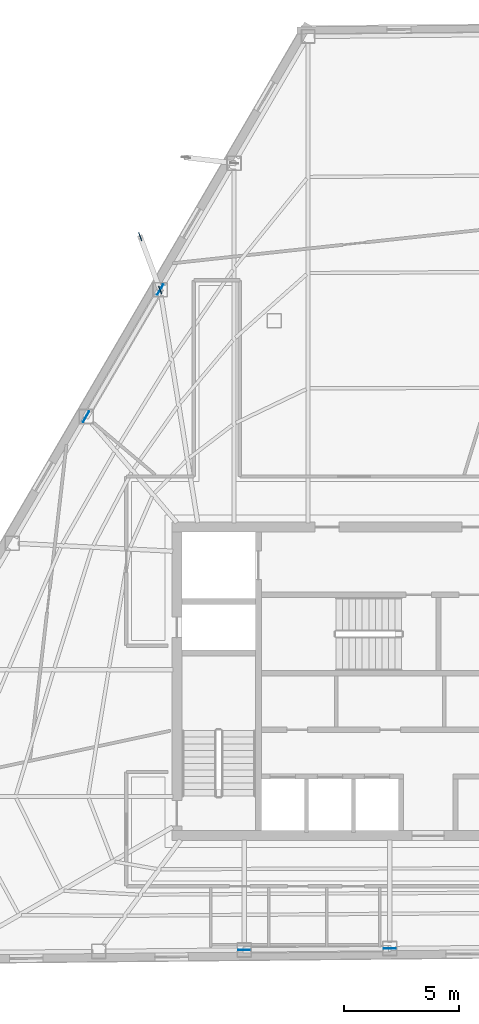
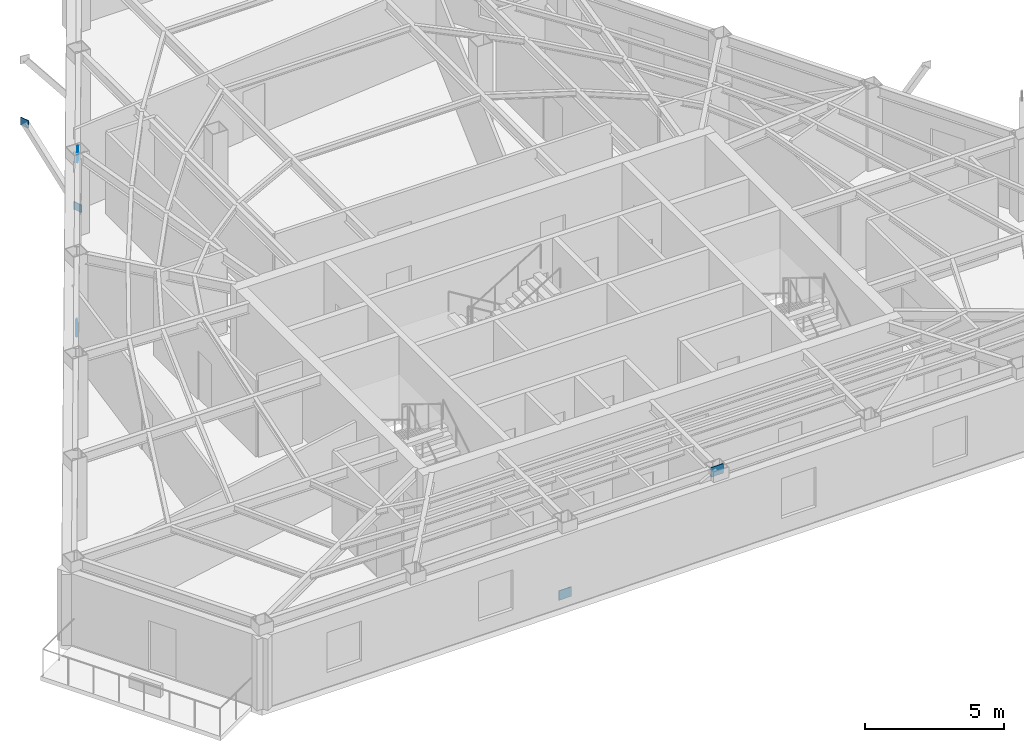
# One storey, part 4 of 11: 6 plates.
"""IFC4 building model written with IfcOpenShell, lengths in metres."""

from ifc_helpers import new_model, si_unit, direction, frame, origin, origin_2d, place, context, subcontext, project, spatial, rectangle, extrude, material, layer, layer_set, type_object, element, save


model = new_model("IFC4")

# Units and contexts
model_context = context("Model", 3, precision=1e-05, world=origin(), true_north=direction((0.0, 1.0)))
body_context = subcontext(model_context, "Body", "Model", "MODEL_VIEW")
ifc_project = project(units=[si_unit("LENGTHUNIT", "METRE"), si_unit("AREAUNIT", "SQUARE_METRE"), si_unit("VOLUMEUNIT", "CUBIC_METRE"), si_unit("PLANEANGLEUNIT", "RADIAN"), si_unit("MASSUNIT", "GRAM", prefix="KILO")], contexts=[model_context])

# Site, building, storey
site_placement = place(None, origin())
site = spatial("IfcSite", under=ifc_project, at=site_placement, CompositionType="ELEMENT")
building_placement = place(site_placement, origin())
building = spatial("IfcBuilding", under=site, at=building_placement, Name="Kavelnor Concourse Tower", CompositionType="ELEMENT")
storey_placement = place(building_placement, frame((0.0, 0.0, 218.89990234375)))
storey = spatial("IfcBuildingStorey", under=building, at=storey_placement, Name="L55", CompositionType="ELEMENT", Elevation=218.89990234375)

# Plates
ifc_material = material(Name="Steel Grade 350", Category="steel")
ifc_layer_1 = layer(ifc_material, 0.028076171875, Name="Steel Grade 350")
ifc_layer_set_1 = layer_set([ifc_layer_1], Name="Steel Grade 350")
plate_type_1 = type_object("IfcPlateType", Name="PL-GUSSET-FOLD", PredefinedType="USERDEFINED", material=ifc_layer_set_1)
for number, where, z_axis, x_axis, name in (
    (1, (27.5322265625, 33.13720703125, 0.8798828125), (0.0, 0.0, 1.0), (-0.350534320191, 0.936549886748, 0.0), "L55 Balcony Strut Gusset GP4 2-B End Gusset A"),
    (2, (26.6630859375, 35.45947265625, 3.48486328125), (0.0, 0.0, 1.0), (-0.350534320191, 0.936549886748, 0.0), "L55 Balcony Strut Gusset GP4 2-B End Gusset B"),
):
    element("IfcPlate", number, at=place(storey_placement, frame(where, z_axis=z_axis, x_axis=x_axis)), inside=storey, type_object=plate_type_1, Name=name, ObjectType="GUSSET_PLATE", PredefinedType="USERDEFINED", context=body_context, shape_type="SweptSolid", body=[
        extrude(rectangle(XDim=0.360107421875, YDim=0.028076171875, at=origin_2d()), origin(), (0.0, 0.0, 1.0), 0.340087890625),
    ])
ifc_layer_2 = layer(ifc_material, 0.031982421875, Name="Steel Grade 350")
ifc_layer_set_2 = layer_set([ifc_layer_2], Name="Steel Grade 350")
plate_type_2 = type_object("IfcPlateType", Name="PL-GUSSET-TUBE-Z1", PredefinedType="USERDEFINED", material=ifc_layer_set_2)
for number, where, z_axis, x_axis, name in (
    (3, (24.301025390625, 27.62158203125, 0.01025390625), (0.0, 0.0, 1.0), (0.504226211181, 0.863571611366, 0.0), "L55 Tube Brace Gusset GP3 F0-B2 End Gusset A"),
    (4, (27.5341796875, 33.15869140625, 3.16015625), (0.0, 0.0, 1.0), (0.504226211181, 0.863571611366, 0.0), "L55 Tube Brace Gusset GP3 F0-B2 End Gusset B"),
    (5, (31.181884765625, 4.39990234375, 0.01025390625), (0.0, 0.0, 1.0), (0.999952236369, 0.009773688199, 0.0), "L55 Tube Brace Gusset GP3 F1-B2 End Gusset A"),
    (6, (37.5380859375, 4.46240234375, 3.16015625), (0.0, 0.0, 1.0), (0.999952236369, 0.009773688199, 0.0), "L55 Tube Brace Gusset GP3 F1-B2 End Gusset B"),
):
    element("IfcPlate", number, at=place(storey_placement, frame(where, z_axis=z_axis, x_axis=x_axis)), inside=storey, type_object=plate_type_2, Name=name, ObjectType="GUSSET_PLATE", PredefinedType="USERDEFINED", context=body_context, shape_type="SweptSolid", body=[
        extrude(rectangle(XDim=0.52001953125, YDim=0.031982421875, at=origin_2d()), origin(), (0.0, 0.0, 1.0), 0.419921875),
    ])

save(model, "model.ifc")
